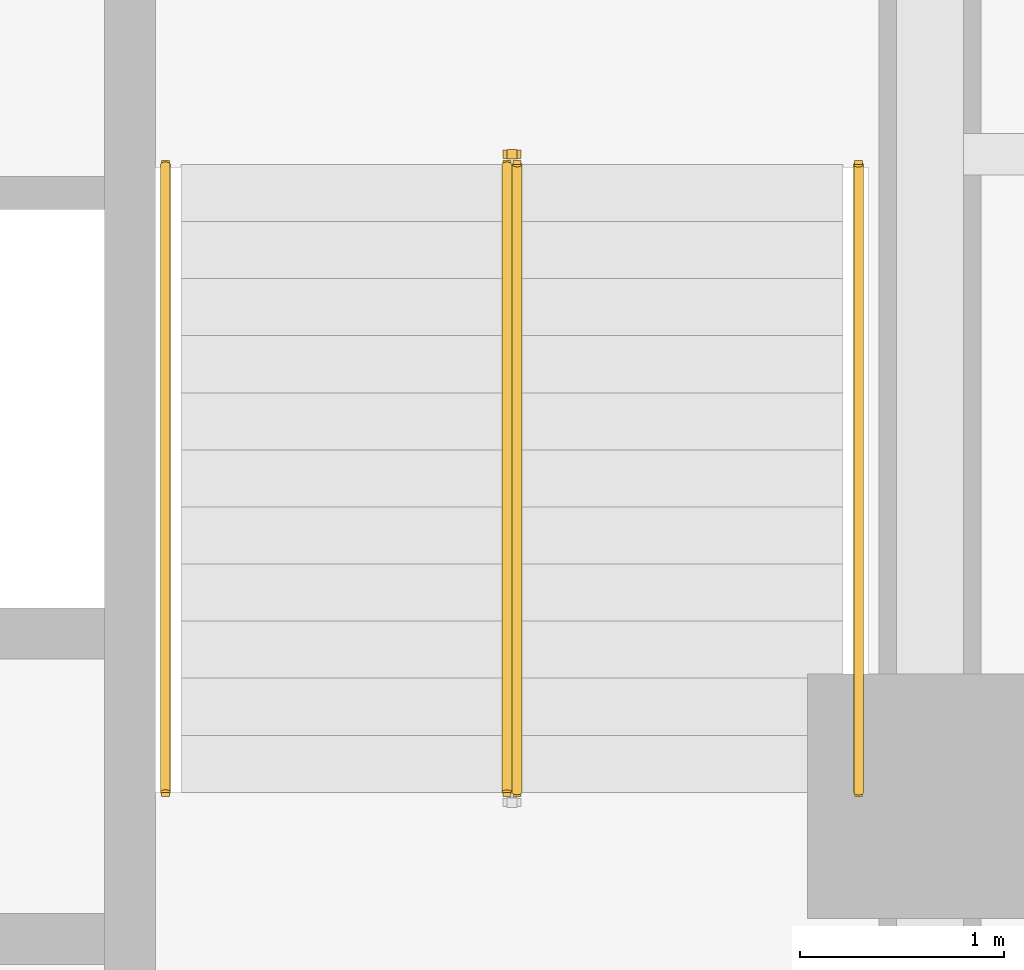
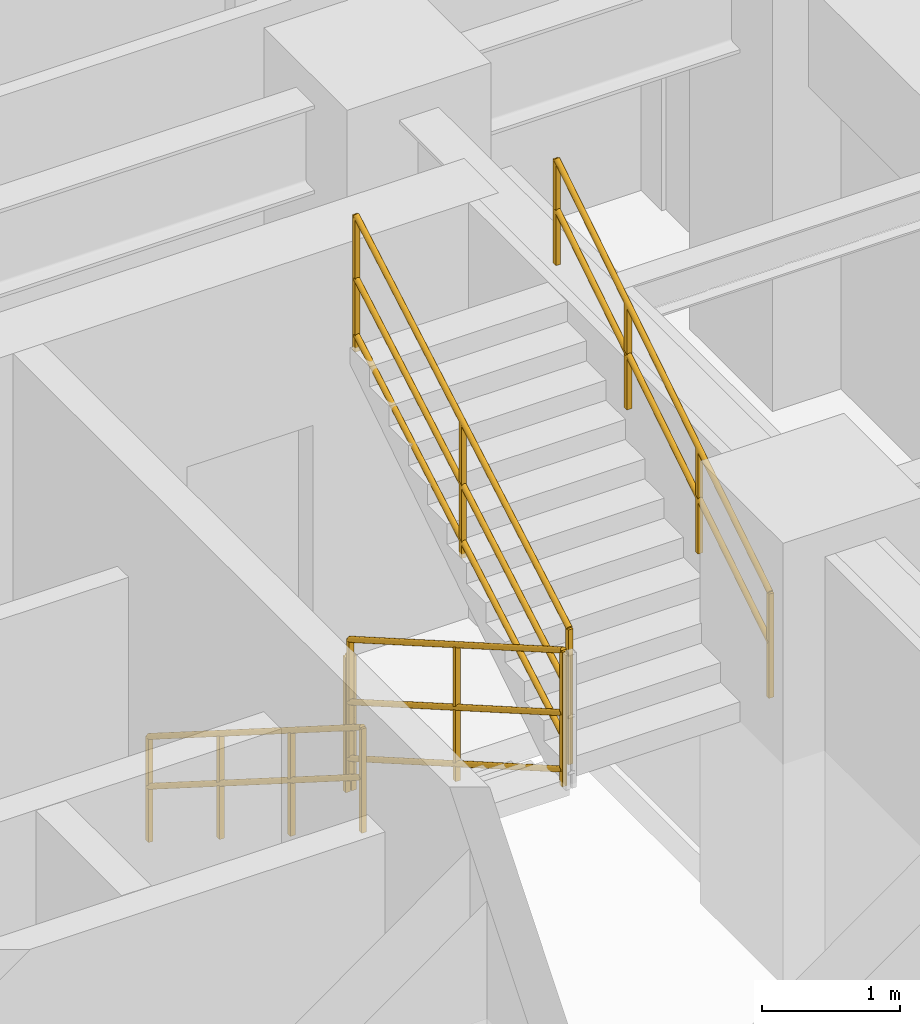
# One storey, part 8 of 9: 5 railings.
"""IFC4 building model written with IfcOpenShell, lengths in metres."""

from ifc_helpers import new_model, entity, si_unit, converted_unit, direction, frame, origin_with_axes, origin_2d_with_axis, place, context, subcontext, project, spatial, rectangle, circle, extrude, material, type_object, element, save


model = new_model("IFC4")

# Units and contexts
model_context = context("Model", 3, precision=1e-05, world=origin_with_axes(), true_north=direction((0.0, 1.0)))
body_context = subcontext(model_context, "Body", "Model", "MODEL_VIEW")
ifc_project = project(units=[si_unit("LENGTHUNIT", "METRE"), si_unit("AREAUNIT", "SQUARE_METRE"), si_unit("VOLUMEUNIT", "CUBIC_METRE"), converted_unit("PLANEANGLEUNIT", "DEGREE", entity("IfcPlaneAngleMeasure", 0.017453292519943295), si_unit("PLANEANGLEUNIT", "RADIAN"), dimensions=[0, 0, 0, 0, 0, 0, 0]), si_unit("MASSUNIT", "GRAM", prefix="KILO"), si_unit("THERMODYNAMICTEMPERATUREUNIT", "KELVIN")], contexts=[model_context])

# Site, building, storey
site_placement = place(None, origin_with_axes())
site = spatial("IfcSite", under=ifc_project, at=site_placement, CompositionType="ELEMENT")
building_placement = place(site_placement, origin_with_axes())
building = spatial("IfcBuilding", under=site, at=building_placement, Name="Varnlund Millrace Tower", CompositionType="ELEMENT")
storey_placement = place(building_placement, frame((0.0, 0.0, 108.6), z_axis=(0.0, 0.0, 1.0), x_axis=(1.0, 0.0, 0.0)))
storey = spatial("IfcBuildingStorey", under=building, at=storey_placement, Name="L26", CompositionType="ELEMENT", Elevation=108.6)

# Railings
ifc_material_1 = material(Name="Painted steel stair well balustrade guard", Category="steel")
railing_type_1 = type_object("IfcRailingType", Name="Type-StairGuard-1150", PredefinedType="GUARDRAIL", material=ifc_material_1)
railing_1_placement = place(storey_placement, frame((0.0, 0.0, -108.6), z_axis=(0.0, 0.0, 1.0), x_axis=(1.0, 0.0, 0.0)))
element("IfcRailing", 1, at=railing_1_placement, inside=storey, type_object=railing_type_1, Name="Type-StairGuard-1150", PredefinedType="GUARDRAIL", context=body_context, shape_type="SweptSolid", body=[
    extrude(circle(Radius=0.024, at=origin_2d_with_axis()), frame((45.975, 21.1, 109.927273), z_axis=(0.0, -0.866696, 0.498836), x_axis=(1.0, 0.0, 0.0)), (0.0, 0.0, 1.0), 3.553725),
    extrude(circle(Radius=0.024, at=origin_2d_with_axis()), frame((45.975, 21.1, 108.877273), z_axis=(0.0, -0.866696, 0.498836), x_axis=(1.0, 0.0, 0.0)), (0.0, 0.0, 1.0), 3.553725),
    extrude(circle(Radius=0.024, at=origin_2d_with_axis()), frame((45.975, 21.1, 109.375273), z_axis=(0.0, -0.866696, 0.498836), x_axis=(1.0, 0.0, 0.0)), (0.0, 0.0, 1.0), 3.553725),
    extrude(rectangle(XDim=0.04, YDim=0.04, at=origin_2d_with_axis()), frame((45.975, 21.1, 108.737273), z_axis=(0.0, 0.0, 1.0), x_axis=(1.0, 0.0, 0.0)), (0.0, 0.0, 1.0), 1.19),
    extrude(rectangle(XDim=0.04, YDim=0.04, at=origin_2d_with_axis()), frame((45.975, 19.56, 109.623636), z_axis=(0.0, 0.0, 1.0), x_axis=(1.0, 0.0, 0.0)), (0.0, 0.0, 1.0), 1.19),
    extrude(rectangle(XDim=0.04, YDim=0.04, at=origin_2d_with_axis()), frame((45.975, 18.02, 110.51), z_axis=(0.0, 0.0, 1.0), x_axis=(1.0, 0.0, 0.0)), (0.0, 0.0, 1.0), 1.19),
])
railing_2_placement = place(storey_placement, frame((0.0, 0.0, -108.6), z_axis=(0.0, 0.0, 1.0), x_axis=(1.0, 0.0, 0.0)))
element("IfcRailing", 2, at=railing_2_placement, inside=storey, type_object=railing_type_1, Name="Type-StairGuard-1150", PredefinedType="GUARDRAIL", context=body_context, shape_type="SweptSolid", body=[
    extrude(circle(Radius=0.024, at=origin_2d_with_axis()), frame((46.025, 18.02, 111.877273), z_axis=(0.0, 0.866696, 0.498836), x_axis=(-1.0, 0.0, 0.0)), (0.0, 0.0, 1.0), 3.553725),
    extrude(circle(Radius=0.024, at=origin_2d_with_axis()), frame((46.025, 18.02, 110.827273), z_axis=(0.0, 0.866696, 0.498836), x_axis=(-1.0, 0.0, 0.0)), (0.0, 0.0, 1.0), 3.553725),
    extrude(circle(Radius=0.024, at=origin_2d_with_axis()), frame((46.025, 18.02, 111.325273), z_axis=(0.0, 0.866696, 0.498836), x_axis=(-1.0, 0.0, 0.0)), (0.0, 0.0, 1.0), 3.553725),
    extrude(rectangle(XDim=0.04, YDim=0.04, at=origin_2d_with_axis()), frame((46.025, 18.02, 110.687273), z_axis=(0.0, 0.0, 1.0), x_axis=(1.0, 0.0, 0.0)), (0.0, 0.0, 1.0), 1.19),
    extrude(rectangle(XDim=0.04, YDim=0.04, at=origin_2d_with_axis()), frame((46.025, 19.56, 111.573636), z_axis=(0.0, 0.0, 1.0), x_axis=(1.0, 0.0, 0.0)), (0.0, 0.0, 1.0), 1.19),
    extrude(rectangle(XDim=0.04, YDim=0.04, at=origin_2d_with_axis()), frame((46.025, 21.1, 112.46), z_axis=(0.0, 0.0, 1.0), x_axis=(1.0, 0.0, 0.0)), (0.0, 0.0, 1.0), 1.19),
])
railing_3_placement = place(storey_placement, frame((0.0, 0.0, -108.6), z_axis=(0.0, 0.0, 1.0), x_axis=(1.0, 0.0, 0.0)))
element("IfcRailing", 3, at=railing_3_placement, inside=storey, type_object=railing_type_1, Name="Type-StairGuard-1150", PredefinedType="GUARDRAIL", context=body_context, shape_type="SweptSolid", body=[
    extrude(circle(Radius=0.024, at=origin_2d_with_axis()), frame((46.025, 21.15, 109.75), z_axis=(-1.0, 0.0, 0.0), x_axis=(0.0, -1.0, 0.0)), (0.0, 0.0, 1.0), 0.05),
    extrude(circle(Radius=0.024, at=origin_2d_with_axis()), frame((46.025, 21.15, 108.7), z_axis=(-1.0, 0.0, 0.0), x_axis=(0.0, -1.0, 0.0)), (0.0, 0.0, 1.0), 0.05),
    extrude(circle(Radius=0.024, at=origin_2d_with_axis()), frame((46.025, 21.15, 109.198), z_axis=(-1.0, 0.0, 0.0), x_axis=(0.0, -1.0, 0.0)), (0.0, 0.0, 1.0), 0.05),
    extrude(rectangle(XDim=0.04, YDim=0.04, at=origin_2d_with_axis()), frame((46.025, 21.15, 108.56), z_axis=(0.0, 0.0, 1.0), x_axis=(1.0, 0.0, 0.0)), (0.0, 0.0, 1.0), 1.19),
    extrude(rectangle(XDim=0.04, YDim=0.04, at=origin_2d_with_axis()), frame((45.975, 21.15, 108.56), z_axis=(0.0, 0.0, 1.0), x_axis=(1.0, 0.0, 0.0)), (0.0, 0.0, 1.0), 1.19),
])
ifc_material_2 = material(Name="Brushed architectural bronze stair handrail", Category="aluminium")
railing_type_2 = type_object("IfcRailingType", Name="Type-StairHandrail-900", PredefinedType="HANDRAIL", material=ifc_material_2)
railing_4_placement = place(storey_placement, frame((0.0, 0.0, -108.6), z_axis=(0.0, 0.0, 1.0), x_axis=(1.0, 0.0, 0.0)))
element("IfcRailing", 4, at=railing_4_placement, inside=storey, type_object=railing_type_2, Name="Type-StairHandrail-900", PredefinedType="HANDRAIL", context=body_context, shape_type="SweptSolid", body=[
    extrude(circle(Radius=0.024, at=origin_2d_with_axis()), frame((44.3, 21.1, 109.656995), z_axis=(0.0, -0.844902, 0.534922), x_axis=(1.0, 0.0, 0.0)), (0.0, 0.0, 1.0), 3.645394),
    extrude(circle(Radius=0.024, at=origin_2d_with_axis()), frame((44.3, 21.1, 109.217134), z_axis=(0.0, -0.844902, 0.534922), x_axis=(1.0, 0.0, 0.0)), (0.0, 0.0, 1.0), 3.645394),
    extrude(rectangle(XDim=0.04, YDim=0.04, at=origin_2d_with_axis()), frame((44.3, 21.1, 108.737273), z_axis=(0.0, 0.0, 1.0), x_axis=(1.0, 0.0, 0.0)), (0.0, 0.0, 1.0), 0.919722),
    extrude(rectangle(XDim=0.04, YDim=0.04, at=origin_2d_with_axis()), frame((44.3, 20.073333, 109.387273), z_axis=(0.0, 0.0, 1.0), x_axis=(1.0, 0.0, 0.0)), (0.0, 0.0, 1.0), 0.919722),
    extrude(rectangle(XDim=0.04, YDim=0.04, at=origin_2d_with_axis()), frame((44.3, 19.046667, 110.037273), z_axis=(0.0, 0.0, 1.0), x_axis=(1.0, 0.0, 0.0)), (0.0, 0.0, 1.0), 0.919722),
    extrude(rectangle(XDim=0.04, YDim=0.04, at=origin_2d_with_axis()), frame((44.3, 18.02, 110.687273), z_axis=(0.0, 0.0, 1.0), x_axis=(1.0, 0.0, 0.0)), (0.0, 0.0, 1.0), 0.919722),
])
railing_5_placement = place(storey_placement, frame((0.0, 0.0, -108.6), z_axis=(0.0, 0.0, 1.0), x_axis=(1.0, 0.0, 0.0)))
element("IfcRailing", 5, at=railing_5_placement, inside=storey, type_object=railing_type_2, Name="Type-StairHandrail-900", PredefinedType="HANDRAIL", context=body_context, shape_type="SweptSolid", body=[
    extrude(circle(Radius=0.024, at=origin_2d_with_axis()), frame((47.7, 18.02, 111.606995), z_axis=(0.0, 0.844902, 0.534922), x_axis=(-1.0, 0.0, 0.0)), (0.0, 0.0, 1.0), 3.645394),
    extrude(circle(Radius=0.024, at=origin_2d_with_axis()), frame((47.7, 18.02, 111.167134), z_axis=(0.0, 0.844902, 0.534922), x_axis=(-1.0, 0.0, 0.0)), (0.0, 0.0, 1.0), 3.645394),
    extrude(rectangle(XDim=0.04, YDim=0.04, at=origin_2d_with_axis()), frame((47.7, 18.02, 110.687273), z_axis=(0.0, 0.0, 1.0), x_axis=(1.0, 0.0, 0.0)), (0.0, 0.0, 1.0), 0.919722),
    extrude(rectangle(XDim=0.04, YDim=0.04, at=origin_2d_with_axis()), frame((47.7, 19.046667, 111.337273), z_axis=(0.0, 0.0, 1.0), x_axis=(1.0, 0.0, 0.0)), (0.0, 0.0, 1.0), 0.919722),
    extrude(rectangle(XDim=0.04, YDim=0.04, at=origin_2d_with_axis()), frame((47.7, 20.073333, 111.987273), z_axis=(0.0, 0.0, 1.0), x_axis=(1.0, 0.0, 0.0)), (0.0, 0.0, 1.0), 0.919722),
    extrude(rectangle(XDim=0.04, YDim=0.04, at=origin_2d_with_axis()), frame((47.7, 21.1, 112.637273), z_axis=(0.0, 0.0, 1.0), x_axis=(1.0, 0.0, 0.0)), (0.0, 0.0, 1.0), 0.919722),
])

save(model, "model.ifc")
